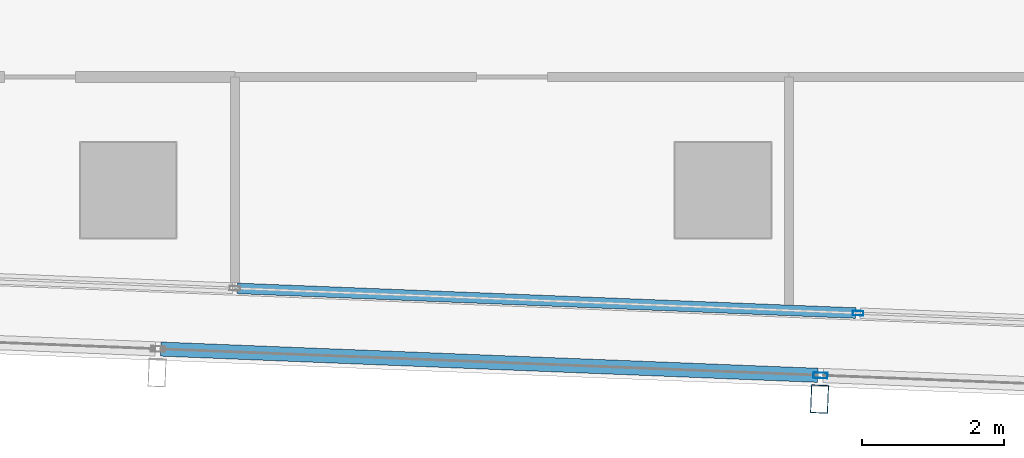
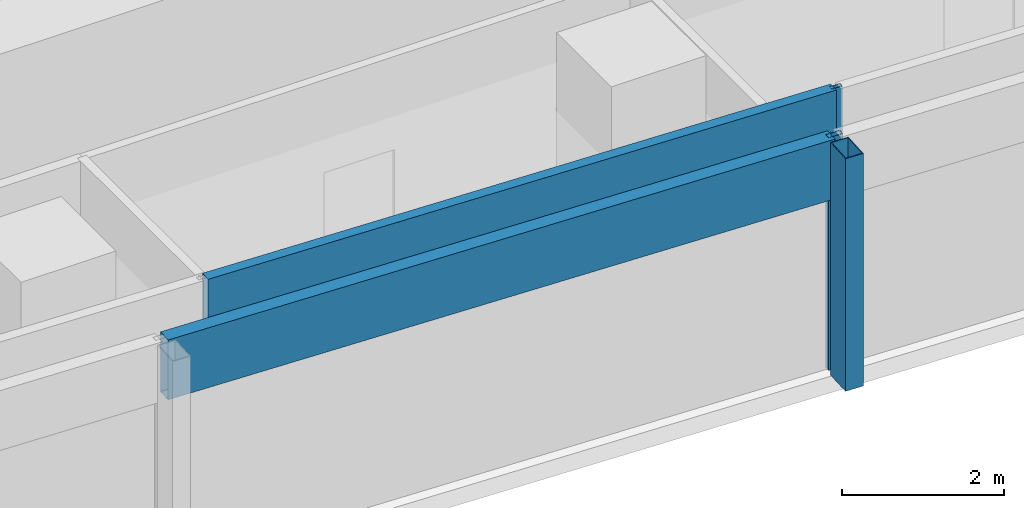
# One storey, part 7 of 38: 5 members, 2 elements without a shape of their own.
"""IFC4 building model written with IfcOpenShell, lengths in metres."""

from ifc_helpers import new_model, si_unit, direction, frame, origin, origin_2d, place, context, subcontext, project, spatial, hollow_rectangle, extrude, material, material_profile, profile_set, type_object, element, aggregate, save


model = new_model("IFC4")

# Units and contexts
model_context = context("Model", 3, precision=1e-05, world=origin(), true_north=direction((0.0, 1.0)))
body_context = subcontext(model_context, "Body", "Model", "MODEL_VIEW")
ifc_project = project(units=[si_unit("LENGTHUNIT", "METRE"), si_unit("AREAUNIT", "SQUARE_METRE"), si_unit("VOLUMEUNIT", "CUBIC_METRE"), si_unit("PLANEANGLEUNIT", "RADIAN"), si_unit("MASSUNIT", "GRAM", prefix="KILO")], contexts=[model_context])

# Site, building, storey
site_placement = place(None, origin())
site = spatial("IfcSite", under=ifc_project, at=site_placement, CompositionType="ELEMENT")
building_placement = place(site_placement, origin())
building = spatial("IfcBuilding", under=site, at=building_placement, Name="Rekha Terrace Tower", CompositionType="ELEMENT")
storey_placement = place(building_placement, frame((0.0, 0.0, 195.199951171875)))
storey = spatial("IfcBuildingStorey", under=building, at=storey_placement, Name="L49", CompositionType="ELEMENT", Elevation=195.199951171875)

# Curtain wall, member
ifc_material_1 = material(Name="Aluminium framing", Category="aluminium")
curtain_wall_type_1 = type_object("IfcCurtainWallType", Name="CW2 double skin outer glazing", PredefinedType="USERDEFINED", material=ifc_material_1)
curtain_wall_1_placement = place(storey_placement, origin())
curtain_wall_1 = element("IfcCurtainWall", 1, at=curtain_wall_1_placement, inside=storey, type_object=curtain_wall_type_1, Name="CW2 double skin outer glazing", ObjectType="DOUBLE SKIN OUTER GLAZING", PredefinedType="USERDEFINED")
ifc_material_2 = material(Name="Steel S355 with fluorocarbon finish", Category="steel")
ifc_material_profile_1 = material_profile(ifc_material_2, hollow_rectangle(XDim=0.25, YDim=0.39990234375, WallThickness=0.012451171875, at=origin_2d()), Name="RHS400x250x12.5")
ifc_profile_set_1 = profile_set([ifc_material_profile_1], Name="Steel S355 with fluorocarbon finish")
member_type_1 = type_object("IfcMemberType", Name="BL1 facade blade RHS 400 x 250", PredefinedType="USERDEFINED", material=ifc_profile_set_1)
member_1_placement = place(storey_placement, frame((34.9638671875, 13.84912109375, 0.0), z_axis=(0.0, 0.0, 1.0), x_axis=(0.999204797763, -0.039871946621, 0.0)))
member_1 = element("IfcMember", 2, at=member_1_placement, type_object=member_type_1, Name="Facade blade", ObjectType="FACADE BLADE", PredefinedType="USERDEFINED", context=body_context, shape_type="SweptSolid", body=[
    extrude(hollow_rectangle(XDim=0.25, YDim=0.39990234375, WallThickness=0.012451171875, at=origin_2d()), origin(), (0.0, 0.0, 1.0), 3.5),
])

# Curtain wall, members
curtain_wall_type_2 = type_object("IfcCurtainWallType", Name="CW1 double skin inner glazing", PredefinedType="USERDEFINED", material=ifc_material_1)
curtain_wall_2_placement = place(storey_placement, origin())
curtain_wall_2 = element("IfcCurtainWall", 3, at=curtain_wall_2_placement, inside=storey, type_object=curtain_wall_type_2, Name="CW1 double skin inner glazing", ObjectType="DOUBLE SKIN INNER GLAZING", PredefinedType="USERDEFINED")
ifc_material_3 = material(Name="Aluminium mullion section", Category="aluminium")
ifc_material_profile_2 = material_profile(ifc_material_3, hollow_rectangle(XDim=0.06494140625, YDim=0.14990234375, WallThickness=0.00390625, at=origin_2d()), Name="AL RHS 65x150")
ifc_profile_set_2 = profile_set([ifc_material_profile_2], Name="Aluminium mullion section")
member_type_2 = type_object("IfcMemberType", Name="CW1 mullion RHS 65 x 150", PredefinedType="MULLION", material=ifc_profile_set_2)
member_2_placement = place(storey_placement, frame((35.507568359375, 15.063232421875, 0.0), z_axis=(0.0, 0.0, 1.0), x_axis=(0.039872497061, 0.999204775798, 0.0)))
member_2 = element("IfcMember", 4, at=member_2_placement, type_object=member_type_2, Name="CW1 mullion 4", PredefinedType="MULLION", context=body_context, shape_type="SweptSolid", body=[
    extrude(hollow_rectangle(XDim=0.06494140625, YDim=0.14990234375, WallThickness=0.00390625, at=origin_2d()), origin(), (0.0, 0.0, 1.0), 3.5),
])
ifc_material_4 = material(Name="Insulated aluminium spandrel box", Category="aluminium")
ifc_material_profile_3 = material_profile(ifc_material_4, hollow_rectangle(XDim=0.14990234375, YDim=0.89990234375, WallThickness=0.0029296875, at=origin_2d()), Name="AL SPANDREL BOX 150x900")
ifc_profile_set_3 = profile_set([ifc_material_profile_3], Name="Insulated aluminium spandrel box")
member_type_3 = type_object("IfcMemberType", Name="CW1 spandrel transom 150 x 900", PredefinedType="USERDEFINED", material=ifc_profile_set_3)
member_3_placement = place(storey_placement, frame((26.73583984375, 15.413330078125, 3.050048828125), z_axis=(0.999205233714, -0.039861020051, 0.0), x_axis=(0.039861020051, 0.999205233714, 0.0)))
member_3 = element("IfcMember", 5, at=member_3_placement, type_object=member_type_3, Name="CW1 spandrel transom 3", ObjectType="TRANSOM", PredefinedType="USERDEFINED", context=body_context, shape_type="SweptSolid", body=[
    extrude(hollow_rectangle(XDim=0.14990234375, YDim=0.89990234375, WallThickness=0.0029296875, at=origin_2d()), origin(), (0.0, 0.0, 1.0), 8.74609375),
])
aggregate(curtain_wall_2, [member_2, member_3])

# Member
ifc_material_profile_4 = material_profile(ifc_material_3, hollow_rectangle(XDim=0.080078125, YDim=0.199951171875, WallThickness=0.00390625, at=origin_2d()), Name="AL RHS 80x200")
ifc_profile_set_4 = profile_set([ifc_material_profile_4], Name="Aluminium mullion section")
member_type_4 = type_object("IfcMemberType", Name="CW2 mullion RHS 80 x 200", PredefinedType="MULLION", material=ifc_profile_set_4)
member_4_placement = place(storey_placement, frame((34.97705078125, 14.183837890625, 0.0), z_axis=(0.0, 0.0, 1.0), x_axis=(0.039872497044, 0.999204775799, 0.0)))
member_4 = element("IfcMember", 6, at=member_4_placement, type_object=member_type_4, Name="CW2 mullion 4", PredefinedType="MULLION", context=body_context, shape_type="SweptSolid", body=[
    extrude(hollow_rectangle(XDim=0.080078125, YDim=0.199951171875, WallThickness=0.00390625, at=origin_2d()), origin(), (0.0, 0.0, 1.0), 3.5),
])

ifc_material_profile_5 = material_profile(ifc_material_4, hollow_rectangle(XDim=0.199951171875, YDim=0.89990234375, WallThickness=0.0029296875, at=origin_2d()), Name="AL SPANDREL BOX 200x900")
ifc_profile_set_5 = profile_set([ifc_material_profile_5], Name="Insulated aluminium spandrel box")
member_type_5 = type_object("IfcMemberType", Name="CW2 spandrel transom 200 x 900", PredefinedType="USERDEFINED", material=ifc_profile_set_5)
member_5_placement = place(storey_placement, frame((25.658447265625, 14.5556640625, 3.050048828125), z_axis=(0.999204356934, -0.039882992408, 0.0), x_axis=(0.039882992408, 0.999204356934, 0.0)))
member_5 = element("IfcMember", 7, at=member_5_placement, type_object=member_type_5, Name="CW2 spandrel transom 3", ObjectType="TRANSOM", PredefinedType="USERDEFINED", context=body_context, shape_type="SweptSolid", body=[
    extrude(hollow_rectangle(XDim=0.199951171875, YDim=0.89990234375, WallThickness=0.0029296875, at=origin_2d()), origin(), (0.0, 0.0, 1.0), 9.2861328125),
])

aggregate(curtain_wall_1, [member_4, member_5, member_1])

save(model, "model.ifc")
